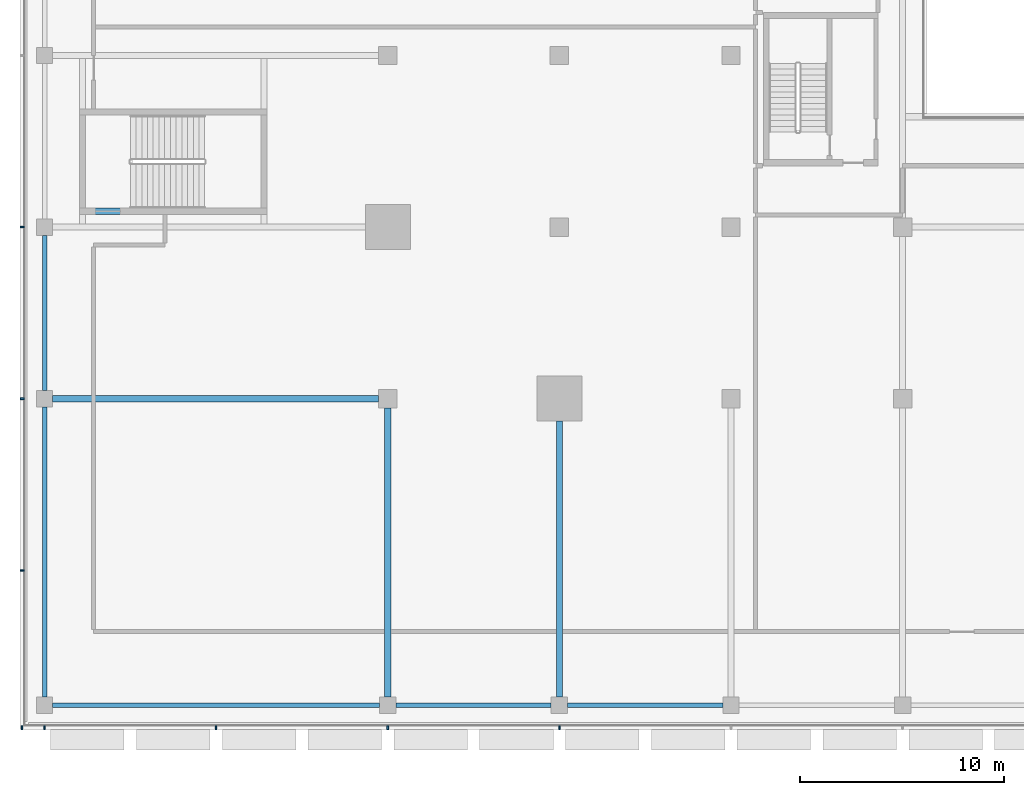
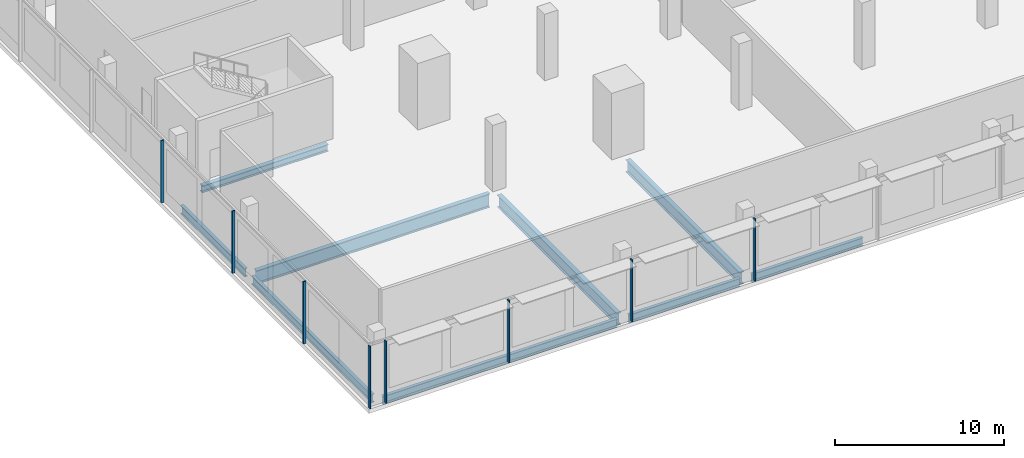
# One storey, part 2 of 39: 9 beams, 8 members, 2 elements without a shape of their own.
"""IFC4 building model written with IfcOpenShell, lengths in metres."""

from ifc_helpers import new_model, si_unit, direction, frame, origin, origin_2d, place, context, subcontext, project, spatial, rectangle, i_section, extrude, material, material_profile, profile_set, type_object, element, aggregate, save


model = new_model("IFC4")

# Units and contexts
model_context = context("Model", 3, precision=1e-05, world=origin(), true_north=direction((0.0, 1.0)))
body_context = subcontext(model_context, "Body", "Model", "MODEL_VIEW")
ifc_project = project(units=[si_unit("LENGTHUNIT", "METRE"), si_unit("AREAUNIT", "SQUARE_METRE"), si_unit("VOLUMEUNIT", "CUBIC_METRE"), si_unit("PLANEANGLEUNIT", "RADIAN"), si_unit("MASSUNIT", "GRAM", prefix="KILO")], contexts=[model_context])

# Site, building, storey
site_placement = place(None, origin())
site = spatial("IfcSite", under=ifc_project, at=site_placement, CompositionType="ELEMENT")
building_placement = place(site_placement, origin())
building = spatial("IfcBuilding", under=site, at=building_placement, Name="Saffron Gate Tower", CompositionType="ELEMENT")
storey_placement = place(building_placement, frame((0.0, 0.0, 14.39990234375)))
storey = spatial("IfcBuildingStorey", under=building, at=storey_placement, Name="L02", CompositionType="ELEMENT", Elevation=14.39990234375)

# Beams
ifc_material_1 = material(Name="Structural steel S355", Category="steel")
ifc_material_profile_1 = material_profile(ifc_material_1, i_section(OverallWidth=0.219970703125, OverallDepth=0.60009765625, WebThickness=0.011962890625, FlangeThickness=0.01904296875, FilletRadius=0.02392578125, at=origin_2d()))
ifc_profile_set_1 = profile_set([ifc_material_profile_1], Name="Structural steel S355")
beam_type_1 = type_object("IfcBeamType", Name="B15 IPE 600", PredefinedType="BEAM", material=ifc_profile_set_1)
beam_1_placement = place(storey_placement, frame((33.39990234375, 16.800048828125, -0.599853515625), z_axis=(1.0, 0.0, 0.0), x_axis=(0.0, 1.0, 0.0)))
element("IfcBeam", 1, at=beam_1_placement, inside=storey, type_object=beam_type_1, Name="B15 PODIUM EDGE BEAM", PredefinedType="BEAM", context=body_context, shape_type="SweptSolid", body=[
    extrude(i_section(OverallWidth=0.219970703125, OverallDepth=0.60009765625, WebThickness=0.011962890625, FlangeThickness=0.01904296875, FilletRadius=0.02392578125, at=origin_2d()), origin(), (0.0, 0.0, 1.0), 16.0),
])
beam_2_placement = place(storey_placement, frame((50.199951171875, 16.800048828125, -0.599853515625), z_axis=(1.0, 0.0, 0.0), x_axis=(0.0, 1.0, 0.0)))
element("IfcBeam", 2, at=beam_2_placement, inside=storey, type_object=beam_type_1, Name="B15 PODIUM EDGE BEAM", PredefinedType="BEAM", context=body_context, shape_type="SweptSolid", body=[
    extrude(i_section(OverallWidth=0.219970703125, OverallDepth=0.60009765625, WebThickness=0.011962890625, FlangeThickness=0.01904296875, FilletRadius=0.02392578125, at=origin_2d()), origin(), (0.0, 0.0, 1.0), 7.60009765625),
])
beam_3_placement = place(storey_placement, frame((58.60009765625, 16.800048828125, -0.599853515625), z_axis=(1.0, 0.0, 0.0), x_axis=(0.0, 1.0, 0.0)))
element("IfcBeam", 3, at=beam_3_placement, inside=storey, type_object=beam_type_1, Name="B15 PODIUM EDGE BEAM", PredefinedType="BEAM", context=body_context, shape_type="SweptSolid", body=[
    extrude(i_section(OverallWidth=0.219970703125, OverallDepth=0.60009765625, WebThickness=0.011962890625, FlangeThickness=0.01904296875, FilletRadius=0.02392578125, at=origin_2d()), origin(), (0.0, 0.0, 1.0), 7.599853515625),
])
beam_4_placement = place(storey_placement, frame((33.0, 17.199951171875, -0.599853515625), z_axis=(0.0, 1.0, 0.0), x_axis=(-1.0, 0.0, 0.0)))
element("IfcBeam", 4, at=beam_4_placement, inside=storey, type_object=beam_type_1, Name="B15 PODIUM EDGE BEAM", PredefinedType="BEAM", context=body_context, shape_type="SweptSolid", body=[
    extrude(i_section(OverallWidth=0.219970703125, OverallDepth=0.60009765625, WebThickness=0.011962890625, FlangeThickness=0.01904296875, FilletRadius=0.02392578125, at=origin_2d()), origin(), (0.0, 0.0, 1.0), 14.199951171875),
])
beam_5_placement = place(storey_placement, frame((33.0, 32.199951171875, -0.599853515625), z_axis=(0.0, 1.0, 0.0), x_axis=(-1.0, 0.0, 0.0)))
element("IfcBeam", 5, at=beam_5_placement, inside=storey, type_object=beam_type_1, Name="B15 PODIUM EDGE BEAM", PredefinedType="BEAM", context=body_context, shape_type="SweptSolid", body=[
    extrude(i_section(OverallWidth=0.219970703125, OverallDepth=0.60009765625, WebThickness=0.011962890625, FlangeThickness=0.01904296875, FilletRadius=0.02392578125, at=origin_2d()), origin(), (0.0, 0.0, 1.0), 7.60009765625),
])
ifc_material_profile_2 = material_profile(ifc_material_1, i_section(OverallWidth=0.300048828125, OverallDepth=0.889892578125, WebThickness=0.01611328125, FlangeThickness=0.030029296875, FilletRadius=0.030029296875, at=origin_2d()))
ifc_profile_set_2 = profile_set([ifc_material_profile_2], Name="Structural steel S355")
beam_type_2 = type_object("IfcBeamType", Name="B19 HEA 900", PredefinedType="BEAM", material=ifc_profile_set_2)
beam_6_placement = place(storey_placement, frame((49.800048828125, 17.199951171875, -0.744873046875), z_axis=(0.0, 1.0, 0.0), x_axis=(-1.0, 0.0, 0.0)))
element("IfcBeam", 6, at=beam_6_placement, inside=storey, type_object=beam_type_2, Name="B19 PODIUM RING GIRDER", PredefinedType="BEAM", context=body_context, shape_type="SweptSolid", body=[
    extrude(i_section(OverallWidth=0.300048828125, OverallDepth=0.889892578125, WebThickness=0.01611328125, FlangeThickness=0.030029296875, FilletRadius=0.030029296875, at=origin_2d()), origin(), (0.0, 0.0, 1.0), 14.150146484375),
])
beam_7_placement = place(storey_placement, frame((58.199951171875, 17.199951171875, -0.744873046875), z_axis=(0.0, 1.0, 0.0), x_axis=(-1.0, 0.0, 0.0)))
element("IfcBeam", 7, at=beam_7_placement, inside=storey, type_object=beam_type_2, Name="B19 PODIUM RING GIRDER", PredefinedType="BEAM", context=body_context, shape_type="SweptSolid", body=[
    extrude(i_section(OverallWidth=0.300048828125, OverallDepth=0.889892578125, WebThickness=0.01611328125, FlangeThickness=0.030029296875, FilletRadius=0.030029296875, at=origin_2d()), origin(), (0.0, 0.0, 1.0), 13.5),
])
ifc_material_profile_3 = material_profile(ifc_material_1, i_section(OverallWidth=0.300048828125, OverallDepth=0.989990234375, WebThickness=0.0166015625, FlangeThickness=0.031005859375, FilletRadius=0.030029296875, at=origin_2d()))
ifc_profile_set_3 = profile_set([ifc_material_profile_3], Name="Structural steel S355")
beam_type_3 = type_object("IfcBeamType", Name="B21 HEA 1000", PredefinedType="BEAM", material=ifc_profile_set_3)
beam_8_placement = place(storey_placement, frame((33.39990234375, 31.800048828125, -0.794921875), z_axis=(1.0, 0.0, 0.0), x_axis=(0.0, 1.0, 0.0)))
element("IfcBeam", 8, at=beam_8_placement, inside=storey, type_object=beam_type_3, Name="B21 PODIUM RING GIRDER", PredefinedType="BEAM", context=body_context, shape_type="SweptSolid", body=[
    extrude(i_section(OverallWidth=0.300048828125, OverallDepth=0.989990234375, WebThickness=0.0166015625, FlangeThickness=0.031005859375, FilletRadius=0.030029296875, at=origin_2d()), origin(), (0.0, 0.0, 1.0), 15.9501953125),
])
ifc_material_profile_4 = material_profile(ifc_material_1, i_section(OverallWidth=0.300048828125, OverallDepth=0.5, WebThickness=0.014404296875, FlangeThickness=0.028076171875, FilletRadius=0.027099609375, at=origin_2d()))
ifc_profile_set_4 = profile_set([ifc_material_profile_4], Name="Structural steel S355")
beam_type_4 = type_object("IfcBeamType", Name="B9 HEB 500", PredefinedType="BEAM", material=ifc_profile_set_4)
beam_9_placement = place(storey_placement, frame((34.989990234375, 40.97509765625, -0.5498046875), z_axis=(1.0, 0.0, 0.0), x_axis=(0.0, 1.0, 0.0)))
element("IfcBeam", 9, at=beam_9_placement, inside=storey, type_object=beam_type_4, Name="B9 STAIR ENCLOSURE TRIMMER BEAM", PredefinedType="BEAM", context=body_context, shape_type="SweptSolid", body=[
    extrude(i_section(OverallWidth=0.300048828125, OverallDepth=0.5, WebThickness=0.014404296875, FlangeThickness=0.028076171875, FilletRadius=0.027099609375, at=origin_2d()), origin(), (0.0, 0.0, 1.0), 8.6201171875),
])

# Curtain wall, members
ifc_material_2 = material(Name="Aluminium, bronze anodised", Category="aluminium")
curtain_wall_type = type_object("IfcCurtainWallType", Name="CWS5 curtain wall podium ring base", PredefinedType="NOTDEFINED", material=ifc_material_2)
curtain_wall_1_placement = place(storey_placement, origin())
curtain_wall_1 = element("IfcCurtainWall", 10, at=curtain_wall_1_placement, inside=storey, type_object=curtain_wall_type, Name="CWS5 run 1", PredefinedType="NOTDEFINED")
ifc_material_profile_5 = material_profile(ifc_material_2, rectangle(XDim=0.199951171875, YDim=0.080078125, at=origin_2d()))
ifc_profile_set_5 = profile_set([ifc_material_profile_5], Name="Aluminium, bronze anodised")
member_type = type_object("IfcMemberType", Name="CWS5 mullion 80x200", PredefinedType="MULLION", material=ifc_profile_set_5)
member_1_placement = place(storey_placement, frame((31.89990234375, 15.699951171875, 0.0), z_axis=(0.0, 0.0, 1.0), x_axis=(0.0, 1.0, 0.0)))
member_1 = element("IfcMember", 11, at=member_1_placement, type_object=member_type, Name="CWS5 mullion 1", PredefinedType="MULLION", context=body_context, shape_type="SweptSolid", body=[
    extrude(rectangle(XDim=0.199951171875, YDim=0.080078125, at=origin_2d()), origin(), (0.0, 0.0, 1.0), 4.5),
])
member_2_placement = place(storey_placement, frame((33.0, 15.699951171875, 0.0), z_axis=(0.0, 0.0, 1.0), x_axis=(0.0, 1.0, 0.0)))
member_2 = element("IfcMember", 12, at=member_2_placement, type_object=member_type, Name="CWS5 mullion 2", PredefinedType="MULLION", context=body_context, shape_type="SweptSolid", body=[
    extrude(rectangle(XDim=0.199951171875, YDim=0.080078125, at=origin_2d()), origin(), (0.0, 0.0, 1.0), 4.5),
])
member_3_placement = place(storey_placement, frame((41.39990234375, 15.699951171875, 0.0), z_axis=(0.0, 0.0, 1.0), x_axis=(0.0, 1.0, 0.0)))
member_3 = element("IfcMember", 13, at=member_3_placement, type_object=member_type, Name="CWS5 mullion 3", PredefinedType="MULLION", context=body_context, shape_type="SweptSolid", body=[
    extrude(rectangle(XDim=0.199951171875, YDim=0.080078125, at=origin_2d()), origin(), (0.0, 0.0, 1.0), 4.5),
])
member_4_placement = place(storey_placement, frame((49.800048828125, 15.699951171875, 0.0), z_axis=(0.0, 0.0, 1.0), x_axis=(0.0, 1.0, 0.0)))
member_4 = element("IfcMember", 14, at=member_4_placement, type_object=member_type, Name="CWS5 mullion 4", PredefinedType="MULLION", context=body_context, shape_type="SweptSolid", body=[
    extrude(rectangle(XDim=0.199951171875, YDim=0.080078125, at=origin_2d()), origin(), (0.0, 0.0, 1.0), 4.5),
])
member_5_placement = place(storey_placement, frame((58.199951171875, 15.699951171875, 0.0), z_axis=(0.0, 0.0, 1.0), x_axis=(0.0, 1.0, 0.0)))
member_5 = element("IfcMember", 15, at=member_5_placement, type_object=member_type, Name="CWS5 mullion 5", PredefinedType="MULLION", context=body_context, shape_type="SweptSolid", body=[
    extrude(rectangle(XDim=0.199951171875, YDim=0.080078125, at=origin_2d()), origin(), (0.0, 0.0, 1.0), 4.5),
])
aggregate(curtain_wall_1, [member_1, member_2, member_3, member_4, member_5])

curtain_wall_2_placement = place(storey_placement, origin())
curtain_wall_2 = element("IfcCurtainWall", 16, at=curtain_wall_2_placement, inside=storey, type_object=curtain_wall_type, Name="CWS5 run 4", PredefinedType="NOTDEFINED")
member_6_placement = place(storey_placement, frame((31.89990234375, 40.199951171875, 0.0), z_axis=(0.0, 0.0, 1.0), x_axis=(1.0, 0.0, 0.0)))
member_6 = element("IfcMember", 17, at=member_6_placement, type_object=member_type, Name="CWS5 mullion 7", PredefinedType="MULLION", context=body_context, shape_type="SweptSolid", body=[
    extrude(rectangle(XDim=0.199951171875, YDim=0.080078125, at=origin_2d()), origin(), (0.0, 0.0, 1.0), 4.5),
])
member_7_placement = place(storey_placement, frame((31.89990234375, 31.800048828125, 0.0), z_axis=(0.0, 0.0, 1.0), x_axis=(1.0, 0.0, 0.0)))
member_7 = element("IfcMember", 18, at=member_7_placement, type_object=member_type, Name="CWS5 mullion 8", PredefinedType="MULLION", context=body_context, shape_type="SweptSolid", body=[
    extrude(rectangle(XDim=0.199951171875, YDim=0.080078125, at=origin_2d()), origin(), (0.0, 0.0, 1.0), 4.5),
])
member_8_placement = place(storey_placement, frame((31.89990234375, 23.39990234375, 0.0), z_axis=(0.0, 0.0, 1.0), x_axis=(1.0, 0.0, 0.0)))
member_8 = element("IfcMember", 19, at=member_8_placement, type_object=member_type, Name="CWS5 mullion 9", PredefinedType="MULLION", context=body_context, shape_type="SweptSolid", body=[
    extrude(rectangle(XDim=0.199951171875, YDim=0.080078125, at=origin_2d()), origin(), (0.0, 0.0, 1.0), 4.5),
])
aggregate(curtain_wall_2, [member_6, member_7, member_8])

save(model, "model.ifc")
